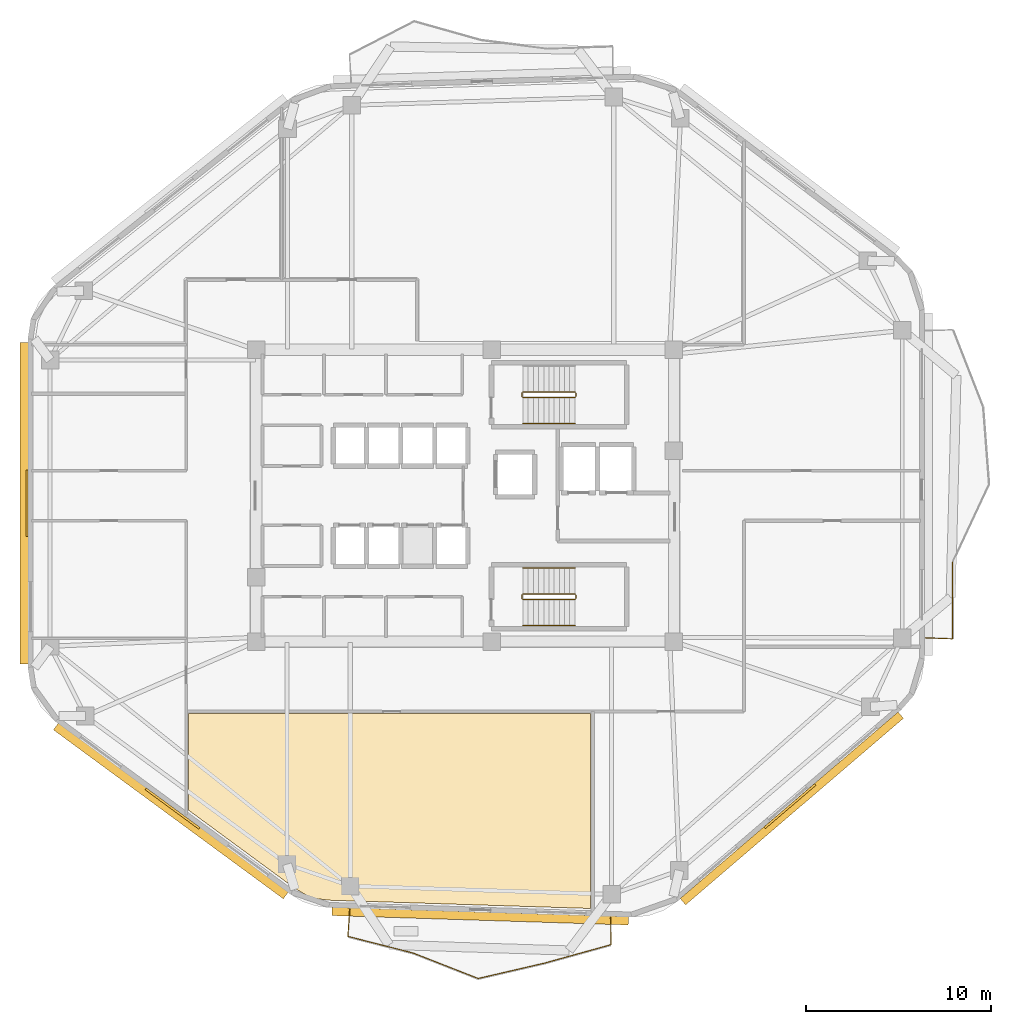
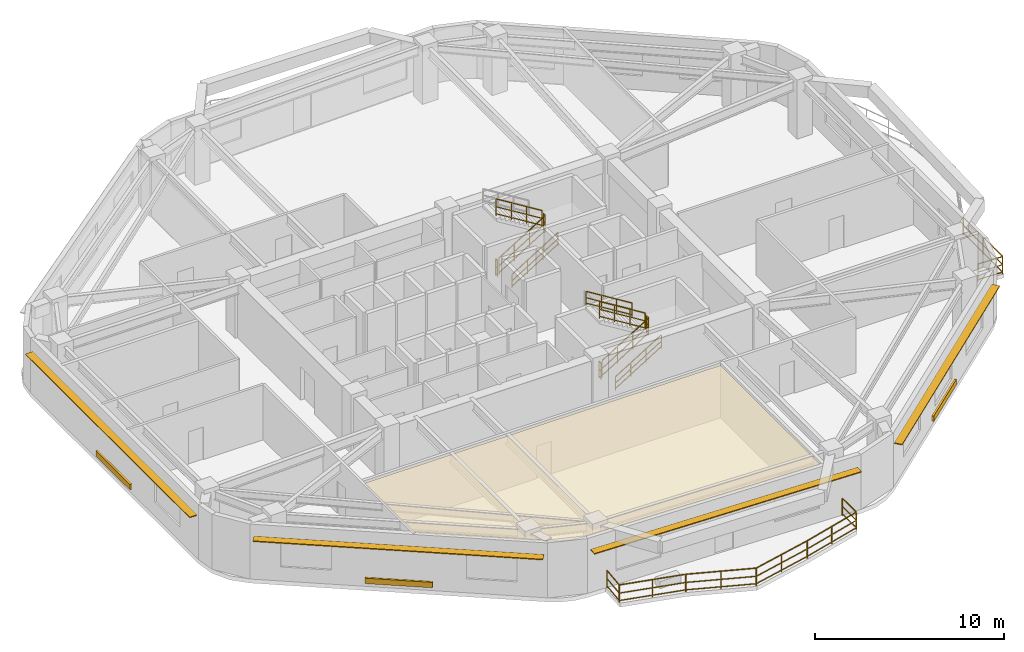
# One storey, part 7 of 9: 19 railings, 7 shading devices, 1 covering.
"""IFC4 building model written with IfcOpenShell, lengths in metres."""

from ifc_helpers import new_model, si_unit, direction, frame, origin, origin_2d, place, context, subcontext, project, spatial, polyline, rectangle, outline, extrude, material, layer, layer_set, type_object, element, save


model = new_model("IFC4")

# Units and contexts
model_context = context("Model", 3, precision=1e-05, world=origin(), true_north=direction((0.0, 1.0)))
body_context = subcontext(model_context, "Body", "Model", "MODEL_VIEW")
ifc_project = project(units=[si_unit("LENGTHUNIT", "METRE"), si_unit("AREAUNIT", "SQUARE_METRE"), si_unit("VOLUMEUNIT", "CUBIC_METRE"), si_unit("PLANEANGLEUNIT", "RADIAN"), si_unit("MASSUNIT", "GRAM", prefix="KILO")], contexts=[model_context])

# Site, building, storey
site_placement = place(None, origin())
site = spatial("IfcSite", under=ifc_project, at=site_placement, CompositionType="ELEMENT")
building_placement = place(site_placement, origin())
building = spatial("IfcBuilding", under=site, at=building_placement, Name="Zulverin Broadcast Headquarters", CompositionType="ELEMENT")
storey_placement = place(building_placement, frame((0.0, 0.0, 159.199951171875)))
storey = spatial("IfcBuildingStorey", under=building, at=storey_placement, Name="L40", CompositionType="ELEMENT", Elevation=159.199951171875)

# Covering
ifc_material_1 = material(Name="Perforated pale-metal acoustic baffle ceiling", Category="aluminium")
ifc_layer_1 = layer(ifc_material_1, 0.0400390625, Name="Perforated pale-metal acoustic baffle ceiling", Category="aluminium")
ifc_layer_set_1 = layer_set([ifc_layer_1], Name="Perforated pale-metal acoustic baffle ceiling")
covering_type = type_object("IfcCoveringType", Name="COV-CEIL-ACOU", PredefinedType="CEILING", material=ifc_layer_set_1)
covering_placement = place(storey_placement, frame((0.0, 0.0, 3.360107421875)))
element("IfcCovering", 1, at=covering_placement, inside=storey, type_object=covering_type, Name="L40 Acoustic Baffle Ceiling 03", PredefinedType="CEILING", context=body_context, shape_type="SweptSolid", body=[
    extrude(outline(polyline([(28.39599609375, 3.659912109375), (29.0, 3.447998046875), (29.652099609375, 3.364013671875), (43.780029296875, 2.916015625), (43.780029296875, 13.431884765625), (22.072021484375, 13.431884765625), (22.072021484375, 8.22412109375), (27.823974609375, 3.99609375), (28.39599609375, 3.659912109375)])), origin(), (0.0, 0.0, 1.0), 0.0400390625),
])

# Railings
ifc_material_2 = material(Name="Brushed stainless steel & laminated glass balustrade", Category="steel")
railing_type_1 = type_object("IfcRailingType", Name="RL-GUARD-1150", PredefinedType="GUARDRAIL", material=ifc_material_2)
railing_1_placement = place(storey_placement, frame((61.840087890625, 17.529296875, 0.0)))
element("IfcRailing", 2, at=railing_1_placement, inside=storey, type_object=railing_type_1, Name="L40 Vertical-Forest Balcony Guardrail BAL_E Segment 01", PredefinedType="GUARDRAIL", context=body_context, shape_type="SweptSolid", body=[
    extrude(rectangle(XDim=0.048095703125, YDim=0.048095703125, at=origin_2d()), frame((0.0, 0.0, 1.1259765625), z_axis=(0.99918088253, -0.040466825742, 0.0), x_axis=(0.040466825742, 0.99918088253, 0.0)), (0.0, 0.0, 1.0), 1.466064453125),
    extrude(rectangle(XDim=0.0419921875, YDim=0.0419921875, at=origin_2d()), frame((0.0, 0.0, 0.597900390625), z_axis=(0.99918088253, -0.040466825742, 0.0), x_axis=(0.040466825742, 0.99918088253, 0.0)), (0.0, 0.0, 1.0), 1.466064453125),
    extrude(rectangle(XDim=0.0419921875, YDim=0.0419921875, at=origin_2d()), frame((0.0, 0.0, 0.1201171875), z_axis=(0.99918088253, -0.040466825742, 0.0), x_axis=(0.040466825742, 0.99918088253, 0.0)), (0.0, 0.0, 1.0), 1.466064453125),
    extrude(rectangle(XDim=0.0419921875, YDim=0.0419921875, at=origin_2d()), origin(), (0.0, 0.0, 1.0), 1.101806640625),
    extrude(rectangle(XDim=0.0419921875, YDim=0.0419921875, at=origin_2d()), frame((1.46484375, -0.059326171875, 0.0)), (0.0, 0.0, 1.0), 1.101806640625),
])
railing_2_placement = place(storey_placement, frame((63.320068359375, 17.484375, 0.0)))
element("IfcRailing", 3, at=railing_2_placement, inside=storey, type_object=railing_type_1, Name="L40 Vertical-Forest Balcony Guardrail BAL_E Segment 02", PredefinedType="GUARDRAIL", context=body_context, shape_type="SweptSolid", body=[
    extrude(rectangle(XDim=0.048095703125, YDim=0.048095703125, at=origin_2d()), frame((0.0, 0.0, 1.1259765625), z_axis=(0.0, 1.0, 0.0), x_axis=(-1.0, 0.0, 0.0)), (0.0, 0.0, 1.0), 4.1455078125),
    extrude(rectangle(XDim=0.0419921875, YDim=0.0419921875, at=origin_2d()), frame((0.0, 0.0, 0.597900390625), z_axis=(0.0, 1.0, 0.0), x_axis=(-1.0, 0.0, 0.0)), (0.0, 0.0, 1.0), 4.1455078125),
    extrude(rectangle(XDim=0.0419921875, YDim=0.0419921875, at=origin_2d()), frame((0.0, 0.0, 0.1201171875), z_axis=(0.0, 1.0, 0.0), x_axis=(-1.0, 0.0, 0.0)), (0.0, 0.0, 1.0), 4.1455078125),
    extrude(rectangle(XDim=0.0419921875, YDim=0.0419921875, at=origin_2d()), origin(), (0.0, 0.0, 1.0), 1.101806640625),
    extrude(rectangle(XDim=0.0419921875, YDim=0.0419921875, at=origin_2d()), frame((0.0, 2.07275390625, 0.0)), (0.0, 0.0, 1.0), 1.101806640625),
    extrude(rectangle(XDim=0.0419921875, YDim=0.0419921875, at=origin_2d()), frame((0.0, 4.1455078125, 0.0)), (0.0, 0.0, 1.0), 1.101806640625),
])
railing_3_placement = place(storey_placement, frame((30.779296875, 2.8876953125, 0.0)))
element("IfcRailing", 4, at=railing_3_placement, inside=storey, type_object=railing_type_1, Name="L40 Vertical-Forest Balcony Guardrail BAL_S Segment 01", PredefinedType="GUARDRAIL", context=body_context, shape_type="SweptSolid", body=[
    extrude(rectangle(XDim=0.048095703125, YDim=0.048095703125, at=origin_2d()), frame((0.0, 0.0, 1.1259765625), z_axis=(-0.072276661537, -0.997384621997, 0.0), x_axis=(0.997384621997, -0.072276661537, 0.0)), (0.0, 0.0, 1.0), 1.466064453125),
    extrude(rectangle(XDim=0.0419921875, YDim=0.0419921875, at=origin_2d()), frame((0.0, 0.0, 0.597900390625), z_axis=(-0.072276661537, -0.997384621997, 0.0), x_axis=(0.997384621997, -0.072276661537, 0.0)), (0.0, 0.0, 1.0), 1.466064453125),
    extrude(rectangle(XDim=0.0419921875, YDim=0.0419921875, at=origin_2d()), frame((0.0, 0.0, 0.1201171875), z_axis=(-0.072276661537, -0.997384621997, 0.0), x_axis=(0.997384621997, -0.072276661537, 0.0)), (0.0, 0.0, 1.0), 1.466064453125),
    extrude(rectangle(XDim=0.0419921875, YDim=0.0419921875, at=origin_2d()), origin(), (0.0, 0.0, 1.0), 1.101806640625),
    extrude(rectangle(XDim=0.0419921875, YDim=0.0419921875, at=origin_2d()), frame((-0.10595703125, -1.462158203125, 0.0)), (0.0, 0.0, 1.0), 1.101806640625),
])
railing_4_placement = place(storey_placement, frame((30.686767578125, 1.40673828125, 0.0)))
element("IfcRailing", 5, at=railing_4_placement, inside=storey, type_object=railing_type_1, Name="L40 Vertical-Forest Balcony Guardrail BAL_S Segment 02", PredefinedType="GUARDRAIL", context=body_context, shape_type="SweptSolid", body=[
    extrude(rectangle(XDim=0.048095703125, YDim=0.048095703125, at=origin_2d()), frame((0.0, 0.0, 1.1259765625), z_axis=(0.968892172976, -0.247483246194, 0.0), x_axis=(0.247483246194, 0.968892172976, 0.0)), (0.0, 0.0, 1.0), 3.608642578125),
    extrude(rectangle(XDim=0.0419921875, YDim=0.0419921875, at=origin_2d()), frame((0.0, 0.0, 0.597900390625), z_axis=(0.968892172976, -0.247483246194, 0.0), x_axis=(0.247483246194, 0.968892172976, 0.0)), (0.0, 0.0, 1.0), 3.608642578125),
    extrude(rectangle(XDim=0.0419921875, YDim=0.0419921875, at=origin_2d()), frame((0.0, 0.0, 0.1201171875), z_axis=(0.968892172976, -0.247483246194, 0.0), x_axis=(0.247483246194, 0.968892172976, 0.0)), (0.0, 0.0, 1.0), 3.608642578125),
    extrude(rectangle(XDim=0.0419921875, YDim=0.0419921875, at=origin_2d()), origin(), (0.0, 0.0, 1.0), 1.101806640625),
    extrude(rectangle(XDim=0.0419921875, YDim=0.0419921875, at=origin_2d()), frame((1.748046875, -0.446533203125, 0.0)), (0.0, 0.0, 1.0), 1.101806640625),
    extrude(rectangle(XDim=0.0419921875, YDim=0.0419921875, at=origin_2d()), frame((3.496337890625, -0.89306640625, 0.0)), (0.0, 0.0, 1.0), 1.101806640625),
])
railing_5_placement = place(storey_placement, frame((34.211669921875, 0.50439453125, 0.0)))
element("IfcRailing", 6, at=railing_5_placement, inside=storey, type_object=railing_type_1, Name="L40 Vertical-Forest Balcony Guardrail BAL_S Segment 03", PredefinedType="GUARDRAIL", context=body_context, shape_type="SweptSolid", body=[
    extrude(rectangle(XDim=0.048095703125, YDim=0.048095703125, at=origin_2d()), frame((0.0, 0.0, 1.1259765625), z_axis=(0.931246632898, -0.364389501381, 0.0), x_axis=(0.364389501381, 0.931246632898, 0.0)), (0.0, 0.0, 1.0), 3.7392578125),
    extrude(rectangle(XDim=0.0419921875, YDim=0.0419921875, at=origin_2d()), frame((0.0, 0.0, 0.597900390625), z_axis=(0.931246632898, -0.364389501381, 0.0), x_axis=(0.364389501381, 0.931246632898, 0.0)), (0.0, 0.0, 1.0), 3.7392578125),
    extrude(rectangle(XDim=0.0419921875, YDim=0.0419921875, at=origin_2d()), frame((0.0, 0.0, 0.1201171875), z_axis=(0.931246632898, -0.364389501381, 0.0), x_axis=(0.364389501381, 0.931246632898, 0.0)), (0.0, 0.0, 1.0), 3.7392578125),
    extrude(rectangle(XDim=0.0419921875, YDim=0.0419921875, at=origin_2d()), origin(), (0.0, 0.0, 1.0), 1.101806640625),
    extrude(rectangle(XDim=0.0419921875, YDim=0.0419921875, at=origin_2d()), frame((1.7412109375, -0.68115234375, 0.0)), (0.0, 0.0, 1.0), 1.101806640625),
    extrude(rectangle(XDim=0.0419921875, YDim=0.0419921875, at=origin_2d()), frame((3.482177734375, -1.362548828125, 0.0)), (0.0, 0.0, 1.0), 1.101806640625),
])
railing_6_placement = place(storey_placement, frame((37.722412109375, -0.8603515625, 0.0)))
element("IfcRailing", 7, at=railing_6_placement, inside=storey, type_object=railing_type_1, Name="L40 Vertical-Forest Balcony Guardrail BAL_S Segment 04", PredefinedType="GUARDRAIL", context=body_context, shape_type="SweptSolid", body=[
    extrude(rectangle(XDim=0.048095703125, YDim=0.048095703125, at=origin_2d()), frame((0.0, 0.0, 1.1259765625), z_axis=(0.974134331739, 0.225969696479, 0.0), x_axis=(-0.225969696479, 0.974134331739, 0.0)), (0.0, 0.0, 1.0), 3.645263671875),
    extrude(rectangle(XDim=0.0419921875, YDim=0.0419921875, at=origin_2d()), frame((0.0, 0.0, 0.597900390625), z_axis=(0.974134331739, 0.225969696479, 0.0), x_axis=(-0.225969696479, 0.974134331739, 0.0)), (0.0, 0.0, 1.0), 3.645263671875),
    extrude(rectangle(XDim=0.0419921875, YDim=0.0419921875, at=origin_2d()), frame((0.0, 0.0, 0.1201171875), z_axis=(0.974134331739, 0.225969696479, 0.0), x_axis=(-0.225969696479, 0.974134331739, 0.0)), (0.0, 0.0, 1.0), 3.645263671875),
    extrude(rectangle(XDim=0.0419921875, YDim=0.0419921875, at=origin_2d()), origin(), (0.0, 0.0, 1.0), 1.101806640625),
    extrude(rectangle(XDim=0.0419921875, YDim=0.0419921875, at=origin_2d()), frame((1.775390625, 0.411865234375, 0.0)), (0.0, 0.0, 1.0), 1.101806640625),
    extrude(rectangle(XDim=0.0419921875, YDim=0.0419921875, at=origin_2d()), frame((3.551025390625, 0.82373046875, 0.0)), (0.0, 0.0, 1.0), 1.101806640625),
])
railing_7_placement = place(storey_placement, frame((41.302490234375, -0.029296875, 0.0)))
element("IfcRailing", 8, at=railing_7_placement, inside=storey, type_object=railing_type_1, Name="L40 Vertical-Forest Balcony Guardrail BAL_S Segment 05", PredefinedType="GUARDRAIL", context=body_context, shape_type="SweptSolid", body=[
    extrude(rectangle(XDim=0.048095703125, YDim=0.048095703125, at=origin_2d()), frame((0.0, 0.0, 1.1259765625), z_axis=(0.963694935876, 0.267005750065, 0.0), x_axis=(-0.267005750065, 0.963694935876, 0.0)), (0.0, 0.0, 1.0), 3.6904296875),
    extrude(rectangle(XDim=0.0419921875, YDim=0.0419921875, at=origin_2d()), frame((0.0, 0.0, 0.597900390625), z_axis=(0.963694935876, 0.267005750065, 0.0), x_axis=(-0.267005750065, 0.963694935876, 0.0)), (0.0, 0.0, 1.0), 3.6904296875),
    extrude(rectangle(XDim=0.0419921875, YDim=0.0419921875, at=origin_2d()), frame((0.0, 0.0, 0.1201171875), z_axis=(0.963694935876, 0.267005750065, 0.0), x_axis=(-0.267005750065, 0.963694935876, 0.0)), (0.0, 0.0, 1.0), 3.6904296875),
    extrude(rectangle(XDim=0.0419921875, YDim=0.0419921875, at=origin_2d()), origin(), (0.0, 0.0, 1.0), 1.101806640625),
    extrude(rectangle(XDim=0.0419921875, YDim=0.0419921875, at=origin_2d()), frame((1.7783203125, 0.49267578125, 0.0)), (0.0, 0.0, 1.0), 1.101806640625),
    extrude(rectangle(XDim=0.0419921875, YDim=0.0419921875, at=origin_2d()), frame((3.556396484375, 0.9853515625, 0.0)), (0.0, 0.0, 1.0), 1.101806640625),
])
railing_8_placement = place(storey_placement, frame((44.873291015625, 0.97509765625, 0.0)))
element("IfcRailing", 9, at=railing_8_placement, inside=storey, type_object=railing_type_1, Name="L40 Vertical-Forest Balcony Guardrail BAL_S Segment 06", PredefinedType="GUARDRAIL", context=body_context, shape_type="SweptSolid", body=[
    extrude(rectangle(XDim=0.048095703125, YDim=0.048095703125, at=origin_2d()), frame((0.0, 0.0, 1.1259765625), z_axis=(-0.008659125807, 0.999962509067, 0.0), x_axis=(-0.999962509067, -0.008659125807, 0.0)), (0.0, 0.0, 1.0), 1.466064453125),
    extrude(rectangle(XDim=0.0419921875, YDim=0.0419921875, at=origin_2d()), frame((0.0, 0.0, 0.597900390625), z_axis=(-0.008659125807, 0.999962509067, 0.0), x_axis=(-0.999962509067, -0.008659125807, 0.0)), (0.0, 0.0, 1.0), 1.466064453125),
    extrude(rectangle(XDim=0.0419921875, YDim=0.0419921875, at=origin_2d()), frame((0.0, 0.0, 0.1201171875), z_axis=(-0.008659125807, 0.999962509067, 0.0), x_axis=(-0.999962509067, -0.008659125807, 0.0)), (0.0, 0.0, 1.0), 1.466064453125),
    extrude(rectangle(XDim=0.0419921875, YDim=0.0419921875, at=origin_2d()), origin(), (0.0, 0.0, 1.0), 1.101806640625),
    extrude(rectangle(XDim=0.0419921875, YDim=0.0419921875, at=origin_2d()), frame((-0.0126953125, 1.466064453125, 0.0)), (0.0, 0.0, 1.0), 1.101806640625),
])
ifc_material_3 = material(Name="Painted galvanized steel tubular guardrail S355JR", Category="steel")
railing_type_2 = type_object("IfcRailingType", Name="RL-ST-GUARD", PredefinedType="GUARDRAIL", material=ifc_material_3)
railing_9_placement = place(storey_placement, frame((40.1298828125, 30.5, 0.1728515625)))
element("IfcRailing", 10, at=railing_9_placement, inside=storey, type_object=railing_type_2, Name="L40 ST-1 stair guard 1", PredefinedType="GUARDRAIL", context=body_context, shape_type="SweptSolid", body=[
    extrude(rectangle(XDim=0.048095703125, YDim=0.048095703125, at=origin_2d()), frame((0.0, 0.0, 1.076171875), z_axis=(0.851089632645, 0.0, 0.525020415988), x_axis=(0.0, 1.0, 0.0)), (0.0, 0.0, 1.0), 3.2900390625),
    extrude(rectangle(XDim=0.0419921875, YDim=0.0419921875, at=origin_2d()), frame((0.0, 0.0, 0.572021484375), z_axis=(0.851089632645, 0.0, 0.525020415988), x_axis=(0.0, 1.0, 0.0)), (0.0, 0.0, 1.0), 3.2900390625),
    extrude(rectangle(XDim=0.0419921875, YDim=0.0419921875, at=origin_2d()), frame((0.0, 0.0, 0.1201171875), z_axis=(0.851089632645, 0.0, 0.525020415988), x_axis=(0.0, 1.0, 0.0)), (0.0, 0.0, 1.0), 3.2900390625),
    extrude(rectangle(XDim=0.0419921875, YDim=0.0419921875, at=origin_2d()), origin(), (0.0, 0.0, 1.0), 1.052001953125),
    extrude(rectangle(XDim=0.0419921875, YDim=0.0419921875, at=origin_2d()), frame((0.933349609375, 0.0, 0.57568359375)), (0.0, 0.0, 1.0), 1.052001953125),
    extrude(rectangle(XDim=0.0419921875, YDim=0.0419921875, at=origin_2d()), frame((1.86669921875, 0.0, 1.151611328125)), (0.0, 0.0, 1.0), 1.052001953125),
    extrude(rectangle(XDim=0.0419921875, YDim=0.0419921875, at=origin_2d()), frame((2.800048828125, 0.0, 1.727294921875)), (0.0, 0.0, 1.0), 1.052001953125),
])
railing_10_placement = place(storey_placement, frame((42.97998046875, 30.550048828125, 1.900146484375)))
element("IfcRailing", 11, at=railing_10_placement, inside=storey, type_object=railing_type_2, Name="L40 ST-1 stair guard 2", PredefinedType="GUARDRAIL", context=body_context, shape_type="SweptSolid", body=[
    extrude(rectangle(XDim=0.048095703125, YDim=0.048095703125, at=origin_2d()), frame((0.0, 0.0, 1.076171875), z_axis=(0.0, 1.0, 0.0), x_axis=(-1.0, 0.0, 0.0)), (0.0, 0.0, 1.0), 0.199951171875),
    extrude(rectangle(XDim=0.0419921875, YDim=0.0419921875, at=origin_2d()), frame((0.0, 0.0, 0.572021484375), z_axis=(0.0, 1.0, 0.0), x_axis=(-1.0, 0.0, 0.0)), (0.0, 0.0, 1.0), 0.199951171875),
    extrude(rectangle(XDim=0.0419921875, YDim=0.0419921875, at=origin_2d()), frame((0.0, 0.0, 0.1201171875), z_axis=(0.0, 1.0, 0.0), x_axis=(-1.0, 0.0, 0.0)), (0.0, 0.0, 1.0), 0.199951171875),
    extrude(rectangle(XDim=0.0419921875, YDim=0.0419921875, at=origin_2d()), origin(), (0.0, 0.0, 1.0), 1.052001953125),
    extrude(rectangle(XDim=0.0419921875, YDim=0.0419921875, at=origin_2d()), frame((0.0, 0.199951171875, 0.0)), (0.0, 0.0, 1.0), 1.052001953125),
])
railing_11_placement = place(storey_placement, frame((42.929931640625, 30.800048828125, 2.07275390625)))
element("IfcRailing", 12, at=railing_11_placement, inside=storey, type_object=railing_type_2, Name="L40 ST-1 stair guard 3", PredefinedType="GUARDRAIL", context=body_context, shape_type="SweptSolid", body=[
    extrude(rectangle(XDim=0.048095703125, YDim=0.048095703125, at=origin_2d()), frame((0.0, 0.0, 1.076171875), z_axis=(-0.851089632645, 0.0, 0.525020415988), x_axis=(0.0, -1.0, 0.0)), (0.0, 0.0, 1.0), 3.2900390625),
    extrude(rectangle(XDim=0.0419921875, YDim=0.0419921875, at=origin_2d()), frame((0.0, 0.0, 0.572021484375), z_axis=(-0.851089632645, 0.0, 0.525020415988), x_axis=(0.0, -1.0, 0.0)), (0.0, 0.0, 1.0), 3.2900390625),
    extrude(rectangle(XDim=0.0419921875, YDim=0.0419921875, at=origin_2d()), frame((0.0, 0.0, 0.1201171875), z_axis=(-0.851089632645, 0.0, 0.525020415988), x_axis=(0.0, -1.0, 0.0)), (0.0, 0.0, 1.0), 3.2900390625),
    extrude(rectangle(XDim=0.0419921875, YDim=0.0419921875, at=origin_2d()), origin(), (0.0, 0.0, 1.0), 1.052001953125),
    extrude(rectangle(XDim=0.0419921875, YDim=0.0419921875, at=origin_2d()), frame((-0.933349609375, 0.0, 0.57568359375)), (0.0, 0.0, 1.0), 1.052001953125),
    extrude(rectangle(XDim=0.0419921875, YDim=0.0419921875, at=origin_2d()), frame((-1.86669921875, 0.0, 1.151611328125)), (0.0, 0.0, 1.0), 1.052001953125),
    extrude(rectangle(XDim=0.0419921875, YDim=0.0419921875, at=origin_2d()), frame((-2.800048828125, 0.0, 1.727294921875)), (0.0, 0.0, 1.0), 1.052001953125),
])
railing_12_placement = place(storey_placement, frame((40.080078125, 30.550048828125, 0.0)))
element("IfcRailing", 13, at=railing_12_placement, inside=storey, type_object=railing_type_2, Name="L40 ST-1 stair guard 4", PredefinedType="GUARDRAIL", context=body_context, shape_type="SweptSolid", body=[
    extrude(rectangle(XDim=0.048095703125, YDim=0.048095703125, at=origin_2d()), frame((0.0, 0.0, 1.076171875), z_axis=(0.0, 1.0, 0.0), x_axis=(-1.0, 0.0, 0.0)), (0.0, 0.0, 1.0), 0.199951171875),
    extrude(rectangle(XDim=0.0419921875, YDim=0.0419921875, at=origin_2d()), frame((0.0, 0.0, 0.572021484375), z_axis=(0.0, 1.0, 0.0), x_axis=(-1.0, 0.0, 0.0)), (0.0, 0.0, 1.0), 0.199951171875),
    extrude(rectangle(XDim=0.0419921875, YDim=0.0419921875, at=origin_2d()), frame((0.0, 0.0, 0.1201171875), z_axis=(0.0, 1.0, 0.0), x_axis=(-1.0, 0.0, 0.0)), (0.0, 0.0, 1.0), 0.199951171875),
    extrude(rectangle(XDim=0.0419921875, YDim=0.0419921875, at=origin_2d()), origin(), (0.0, 0.0, 1.0), 1.052001953125),
    extrude(rectangle(XDim=0.0419921875, YDim=0.0419921875, at=origin_2d()), frame((0.0, 0.199951171875, 0.0)), (0.0, 0.0, 1.0), 1.052001953125),
])
railing_13_placement = place(storey_placement, frame((40.1298828125, 19.60009765625, 0.1728515625)))
element("IfcRailing", 14, at=railing_13_placement, inside=storey, type_object=railing_type_2, Name="L40 ST-2 stair guard 1", PredefinedType="GUARDRAIL", context=body_context, shape_type="SweptSolid", body=[
    extrude(rectangle(XDim=0.048095703125, YDim=0.048095703125, at=origin_2d()), frame((0.0, 0.0, 1.076171875), z_axis=(0.851089632645, 0.0, 0.525020415988), x_axis=(0.0, 1.0, 0.0)), (0.0, 0.0, 1.0), 3.2900390625),
    extrude(rectangle(XDim=0.0419921875, YDim=0.0419921875, at=origin_2d()), frame((0.0, 0.0, 0.572021484375), z_axis=(0.851089632645, 0.0, 0.525020415988), x_axis=(0.0, 1.0, 0.0)), (0.0, 0.0, 1.0), 3.2900390625),
    extrude(rectangle(XDim=0.0419921875, YDim=0.0419921875, at=origin_2d()), frame((0.0, 0.0, 0.1201171875), z_axis=(0.851089632645, 0.0, 0.525020415988), x_axis=(0.0, 1.0, 0.0)), (0.0, 0.0, 1.0), 3.2900390625),
    extrude(rectangle(XDim=0.0419921875, YDim=0.0419921875, at=origin_2d()), origin(), (0.0, 0.0, 1.0), 1.052001953125),
    extrude(rectangle(XDim=0.0419921875, YDim=0.0419921875, at=origin_2d()), frame((0.933349609375, 0.0, 0.57568359375)), (0.0, 0.0, 1.0), 1.052001953125),
    extrude(rectangle(XDim=0.0419921875, YDim=0.0419921875, at=origin_2d()), frame((1.86669921875, 0.0, 1.151611328125)), (0.0, 0.0, 1.0), 1.052001953125),
    extrude(rectangle(XDim=0.0419921875, YDim=0.0419921875, at=origin_2d()), frame((2.800048828125, 0.0, 1.727294921875)), (0.0, 0.0, 1.0), 1.052001953125),
])
railing_14_placement = place(storey_placement, frame((42.97998046875, 19.64990234375, 1.900146484375)))
element("IfcRailing", 15, at=railing_14_placement, inside=storey, type_object=railing_type_2, Name="L40 ST-2 stair guard 2", PredefinedType="GUARDRAIL", context=body_context, shape_type="SweptSolid", body=[
    extrude(rectangle(XDim=0.048095703125, YDim=0.048095703125, at=origin_2d()), frame((0.0, 0.0, 1.076171875), z_axis=(0.0, 1.0, 0.0), x_axis=(-1.0, 0.0, 0.0)), (0.0, 0.0, 1.0), 0.2001953125),
    extrude(rectangle(XDim=0.0419921875, YDim=0.0419921875, at=origin_2d()), frame((0.0, 0.0, 0.572021484375), z_axis=(0.0, 1.0, 0.0), x_axis=(-1.0, 0.0, 0.0)), (0.0, 0.0, 1.0), 0.2001953125),
    extrude(rectangle(XDim=0.0419921875, YDim=0.0419921875, at=origin_2d()), frame((0.0, 0.0, 0.1201171875), z_axis=(0.0, 1.0, 0.0), x_axis=(-1.0, 0.0, 0.0)), (0.0, 0.0, 1.0), 0.2001953125),
    extrude(rectangle(XDim=0.0419921875, YDim=0.0419921875, at=origin_2d()), origin(), (0.0, 0.0, 1.0), 1.052001953125),
    extrude(rectangle(XDim=0.0419921875, YDim=0.0419921875, at=origin_2d()), frame((0.0, 0.2001953125, 0.0)), (0.0, 0.0, 1.0), 1.052001953125),
])
railing_15_placement = place(storey_placement, frame((42.929931640625, 19.89990234375, 2.07275390625)))
element("IfcRailing", 16, at=railing_15_placement, inside=storey, type_object=railing_type_2, Name="L40 ST-2 stair guard 3", PredefinedType="GUARDRAIL", context=body_context, shape_type="SweptSolid", body=[
    extrude(rectangle(XDim=0.048095703125, YDim=0.048095703125, at=origin_2d()), frame((0.0, 0.0, 1.076171875), z_axis=(-0.851089632645, 0.0, 0.525020415988), x_axis=(0.0, -1.0, 0.0)), (0.0, 0.0, 1.0), 3.2900390625),
    extrude(rectangle(XDim=0.0419921875, YDim=0.0419921875, at=origin_2d()), frame((0.0, 0.0, 0.572021484375), z_axis=(-0.851089632645, 0.0, 0.525020415988), x_axis=(0.0, -1.0, 0.0)), (0.0, 0.0, 1.0), 3.2900390625),
    extrude(rectangle(XDim=0.0419921875, YDim=0.0419921875, at=origin_2d()), frame((0.0, 0.0, 0.1201171875), z_axis=(-0.851089632645, 0.0, 0.525020415988), x_axis=(0.0, -1.0, 0.0)), (0.0, 0.0, 1.0), 3.2900390625),
    extrude(rectangle(XDim=0.0419921875, YDim=0.0419921875, at=origin_2d()), origin(), (0.0, 0.0, 1.0), 1.052001953125),
    extrude(rectangle(XDim=0.0419921875, YDim=0.0419921875, at=origin_2d()), frame((-0.933349609375, 0.0, 0.57568359375)), (0.0, 0.0, 1.0), 1.052001953125),
    extrude(rectangle(XDim=0.0419921875, YDim=0.0419921875, at=origin_2d()), frame((-1.86669921875, 0.0, 1.151611328125)), (0.0, 0.0, 1.0), 1.052001953125),
    extrude(rectangle(XDim=0.0419921875, YDim=0.0419921875, at=origin_2d()), frame((-2.800048828125, 0.0, 1.727294921875)), (0.0, 0.0, 1.0), 1.052001953125),
])
railing_16_placement = place(storey_placement, frame((40.080078125, 19.64990234375, 0.0)))
element("IfcRailing", 17, at=railing_16_placement, inside=storey, type_object=railing_type_2, Name="L40 ST-2 stair guard 4", PredefinedType="GUARDRAIL", context=body_context, shape_type="SweptSolid", body=[
    extrude(rectangle(XDim=0.048095703125, YDim=0.048095703125, at=origin_2d()), frame((0.0, 0.0, 1.076171875), z_axis=(0.0, 1.0, 0.0), x_axis=(-1.0, 0.0, 0.0)), (0.0, 0.0, 1.0), 0.2001953125),
    extrude(rectangle(XDim=0.0419921875, YDim=0.0419921875, at=origin_2d()), frame((0.0, 0.0, 0.572021484375), z_axis=(0.0, 1.0, 0.0), x_axis=(-1.0, 0.0, 0.0)), (0.0, 0.0, 1.0), 0.2001953125),
    extrude(rectangle(XDim=0.0419921875, YDim=0.0419921875, at=origin_2d()), frame((0.0, 0.0, 0.1201171875), z_axis=(0.0, 1.0, 0.0), x_axis=(-1.0, 0.0, 0.0)), (0.0, 0.0, 1.0), 0.2001953125),
    extrude(rectangle(XDim=0.0419921875, YDim=0.0419921875, at=origin_2d()), origin(), (0.0, 0.0, 1.0), 1.052001953125),
    extrude(rectangle(XDim=0.0419921875, YDim=0.0419921875, at=origin_2d()), frame((0.0, 0.2001953125, 0.0)), (0.0, 0.0, 1.0), 1.052001953125),
])
ifc_material_4 = material(Name="Brushed stainless steel 48 mm handrail", Category="steel")
railing_type_3 = type_object("IfcRailingType", Name="RL-ST-HAND", PredefinedType="HANDRAIL", material=ifc_material_4)
for number, where, name in (
    (18, (40.1298828125, 29.10009765625, 0.1728515625), "L40 ST-1 stair handrail 1"),
    (19, (40.1298828125, 18.199951171875, 0.1728515625), "L40 ST-2 stair handrail 1"),
):
    element("IfcRailing", number, at=place(storey_placement, frame(where)), inside=storey, type_object=railing_type_3, Name=name, PredefinedType="HANDRAIL", context=body_context, shape_type="SweptSolid", body=[
        extrude(rectangle(XDim=0.048095703125, YDim=0.048095703125, at=origin_2d()), frame((0.0, 0.0, 0.8759765625), z_axis=(0.851089632645, 0.0, 0.525020415988), x_axis=(0.0, 1.0, 0.0)), (0.0, 0.0, 1.0), 3.2900390625),
        extrude(rectangle(XDim=0.0419921875, YDim=0.0419921875, at=origin_2d()), frame((0.0, 0.0, 0.468017578125), z_axis=(0.851089632645, 0.0, 0.525020415988), x_axis=(0.0, 1.0, 0.0)), (0.0, 0.0, 1.0), 3.2900390625),
        extrude(rectangle(XDim=0.0419921875, YDim=0.0419921875, at=origin_2d()), frame((0.0, 0.0, 0.1201171875), z_axis=(0.851089632645, 0.0, 0.525020415988), x_axis=(0.0, 1.0, 0.0)), (0.0, 0.0, 1.0), 3.2900390625),
        extrude(rectangle(XDim=0.0419921875, YDim=0.0419921875, at=origin_2d()), origin(), (0.0, 0.0, 1.0), 0.851806640625),
        extrude(rectangle(XDim=0.0419921875, YDim=0.0419921875, at=origin_2d()), frame((0.933349609375, 0.0, 0.57568359375)), (0.0, 0.0, 1.0), 0.851806640625),
        extrude(rectangle(XDim=0.0419921875, YDim=0.0419921875, at=origin_2d()), frame((1.86669921875, 0.0, 1.151611328125)), (0.0, 0.0, 1.0), 0.851806640625),
        extrude(rectangle(XDim=0.0419921875, YDim=0.0419921875, at=origin_2d()), frame((2.800048828125, 0.0, 1.727294921875)), (0.0, 0.0, 1.0), 0.851806640625),
    ])
railing_17_placement = place(storey_placement, frame((42.929931640625, 21.300048828125, 2.07275390625)))
element("IfcRailing", 20, at=railing_17_placement, inside=storey, type_object=railing_type_3, Name="L40 ST-2 stair handrail 2", PredefinedType="HANDRAIL", context=body_context, shape_type="SweptSolid", body=[
    extrude(rectangle(XDim=0.048095703125, YDim=0.048095703125, at=origin_2d()), frame((0.0, 0.0, 0.8759765625), z_axis=(-0.851089632645, 0.0, 0.525020415988), x_axis=(0.0, -1.0, 0.0)), (0.0, 0.0, 1.0), 3.2900390625),
    extrude(rectangle(XDim=0.0419921875, YDim=0.0419921875, at=origin_2d()), frame((0.0, 0.0, 0.468017578125), z_axis=(-0.851089632645, 0.0, 0.525020415988), x_axis=(0.0, -1.0, 0.0)), (0.0, 0.0, 1.0), 3.2900390625),
    extrude(rectangle(XDim=0.0419921875, YDim=0.0419921875, at=origin_2d()), frame((0.0, 0.0, 0.1201171875), z_axis=(-0.851089632645, 0.0, 0.525020415988), x_axis=(0.0, -1.0, 0.0)), (0.0, 0.0, 1.0), 3.2900390625),
    extrude(rectangle(XDim=0.0419921875, YDim=0.0419921875, at=origin_2d()), origin(), (0.0, 0.0, 1.0), 0.851806640625),
    extrude(rectangle(XDim=0.0419921875, YDim=0.0419921875, at=origin_2d()), frame((-0.933349609375, 0.0, 0.57568359375)), (0.0, 0.0, 1.0), 0.851806640625),
    extrude(rectangle(XDim=0.0419921875, YDim=0.0419921875, at=origin_2d()), frame((-1.86669921875, 0.0, 1.151611328125)), (0.0, 0.0, 1.0), 0.851806640625),
    extrude(rectangle(XDim=0.0419921875, YDim=0.0419921875, at=origin_2d()), frame((-2.800048828125, 0.0, 1.727294921875)), (0.0, 0.0, 1.0), 0.851806640625),
])

# Shading devices
ifc_material_5 = material(Name="Anodized pale-metal aluminium acoustic louvre", Category="aluminium")
shading_device_type_1 = type_object("IfcShadingDeviceType", Name="SHD-LOUVRE-350", PredefinedType="USERDEFINED", material=ifc_material_5)
for number, where, z_axis, x_axis, name in (
    (21, (54.53466796875, 8.4404296875, 0.2451171875), (0.0, 0.0, 1.0), (0.759706154917, 0.650266528572, 0.0), "L40 Spandrel Intake Louvre 2"),
    (22, (13.360107421875, 24.797607421875, 0.2451171875), (0.0, 0.0, 1.0), (0.0, -1.0, 0.0), "L40 Spandrel Intake Louvre 7"),
    (23, (21.212158203125, 8.309326171875, 0.2451171875), (0.0, 0.0, 1.0), (0.805802206513, -0.592184771822, 0.0), "L40 Spandrel Intake Louvre 8"),
):
    element("IfcShadingDevice", number, at=place(storey_placement, frame(where, z_axis=z_axis, x_axis=x_axis)), inside=storey, type_object=shading_device_type_1, Name=name, ObjectType="LOUVRE", PredefinedType="USERDEFINED", context=body_context, shape_type="SweptSolid", body=[
        extrude(rectangle(XDim=3.60009765625, YDim=0.1201171875, at=origin_2d()), origin(), (0.0, 0.0, 1.0), 0.35009765625),
    ])
ifc_material_6 = material(Name="Anodized pale-metal aluminium sunshade", Category="aluminium")
ifc_layer_2 = layer(ifc_material_6, 0.06005859375, Name="Anodized pale-metal aluminium sunshade", Category="aluminium")
ifc_layer_set_2 = layer_set([ifc_layer_2], Name="Anodized pale-metal aluminium sunshade")
shading_device_type_2 = type_object("IfcShadingDeviceType", Name="SS-01_PALE_METAL_ALUMINIUM_SUNSHADE", PredefinedType="USERDEFINED", material=ifc_layer_set_2)
shading_device_1_placement = place(storey_placement, frame((37.814697265625, 2.504638671875, 2.7099609375), z_axis=(0.0, 0.0, 1.0), x_axis=(0.999497141269, -0.031709061709, 0.0)))
element("IfcShadingDevice", 24, at=shading_device_1_placement, inside=storey, type_object=shading_device_type_2, Name="L40 Horizontal Pale-Metal Sunshade Band 1", ObjectType="SUNSHADE", PredefinedType="USERDEFINED", context=body_context, shape_type="SweptSolid", body=[
    extrude(rectangle(XDim=16.00830078125, YDim=0.449951171875, at=origin_2d()), origin(), (0.0, 0.0, 1.0), 0.06005859375),
])
shading_device_2_placement = place(storey_placement, frame((54.638671875, 8.319091796875, 2.7099609375), z_axis=(0.0, 0.0, 1.0), x_axis=(0.759706154917, 0.650266528572, 0.0)))
element("IfcShadingDevice", 25, at=shading_device_2_placement, inside=storey, type_object=shading_device_type_2, Name="L40 Horizontal Pale-Metal Sunshade Band 2", ObjectType="SUNSHADE", PredefinedType="USERDEFINED", context=body_context, shape_type="SweptSolid", body=[
    extrude(rectangle(XDim=15.48095703125, YDim=0.449951171875, at=origin_2d()), origin(), (0.0, 0.0, 1.0), 0.06005859375),
])
shading_device_3_placement = place(storey_placement, frame((13.199951171875, 24.797607421875, 2.7099609375), z_axis=(0.0, 0.0, 1.0), x_axis=(0.0, -1.0, 0.0)))
element("IfcShadingDevice", 26, at=shading_device_3_placement, inside=storey, type_object=shading_device_type_2, Name="L40 Horizontal Pale-Metal Sunshade Band 7", ObjectType="SUNSHADE", PredefinedType="USERDEFINED", context=body_context, shape_type="SweptSolid", body=[
    extrude(rectangle(XDim=17.351318359375, YDim=0.449951171875, at=origin_2d()), origin(), (0.0, 0.0, 1.0), 0.06005859375),
])
shading_device_4_placement = place(storey_placement, frame((21.1171875, 8.180419921875, 2.7099609375), z_axis=(0.0, 0.0, 1.0), x_axis=(0.805802206513, -0.592184771822, 0.0)))
element("IfcShadingDevice", 27, at=shading_device_4_placement, inside=storey, type_object=shading_device_type_2, Name="L40 Horizontal Pale-Metal Sunshade Band 8", ObjectType="SUNSHADE", PredefinedType="USERDEFINED", context=body_context, shape_type="SweptSolid", body=[
    extrude(rectangle(XDim=15.404541015625, YDim=0.449951171875, at=origin_2d()), origin(), (0.0, 0.0, 1.0), 0.06005859375),
])

save(model, "model.ifc")
